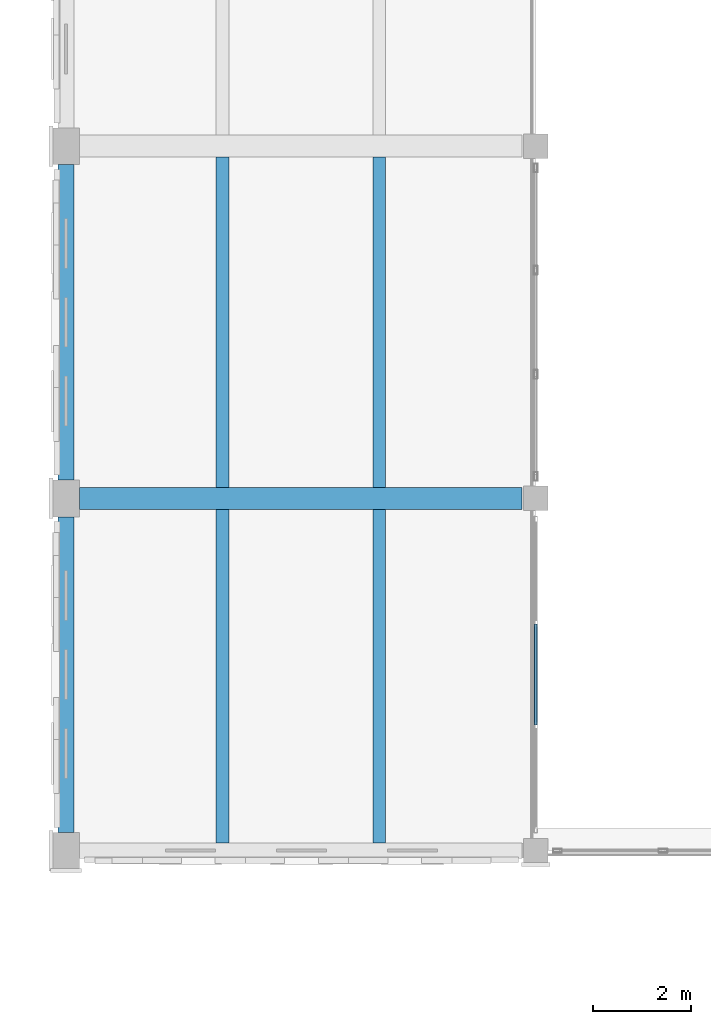
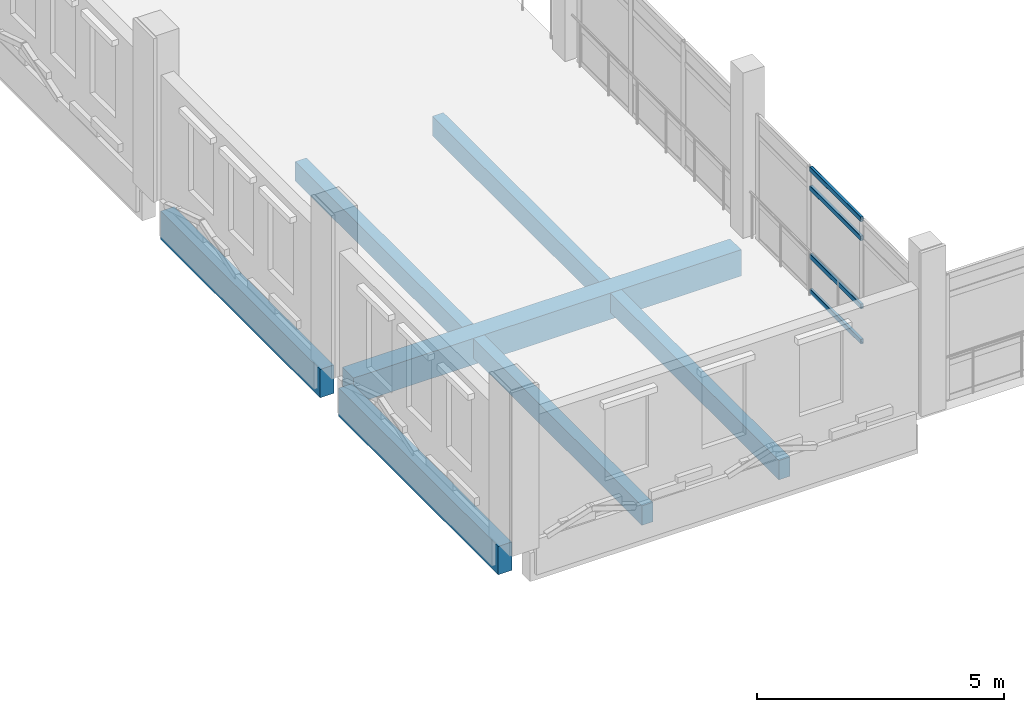
# One storey, part 5 of 24: 7 beams, 4 members, 1 element without a shape of its own.
"""IFC4 building model written with IfcOpenShell, lengths in metres."""

from ifc_helpers import new_model, si_unit, direction, frame, origin, origin_2d, place, context, subcontext, project, spatial, rectangle, hollow_rectangle, extrude, material, layer, layer_set, material_profile, profile_set, type_object, element, aggregate, save


model = new_model("IFC4")

# Units and contexts
model_context = context("Model", 3, precision=1e-05, world=origin(), true_north=direction((0.0, 1.0)))
body_context = subcontext(model_context, "Body", "Model", "MODEL_VIEW")
ifc_project = project(units=[si_unit("LENGTHUNIT", "METRE"), si_unit("AREAUNIT", "SQUARE_METRE"), si_unit("VOLUMEUNIT", "CUBIC_METRE"), si_unit("PLANEANGLEUNIT", "RADIAN"), si_unit("MASSUNIT", "GRAM", prefix="KILO")], contexts=[model_context])

# Site, building, storey
site_placement = place(None, origin())
site = spatial("IfcSite", under=ifc_project, at=site_placement, CompositionType="ELEMENT")
building_placement = place(site_placement, origin())
building = spatial("IfcBuilding", under=site, at=building_placement, Name="Asteropetra Specialist Clinic", CompositionType="ELEMENT")
storey_placement = place(building_placement, frame((0.0, 0.0, 20.739990234375)))
storey = spatial("IfcBuildingStorey", under=building, at=storey_placement, Name="L05", CompositionType="ELEMENT", Elevation=20.739990234375)

# Beam
ifc_material_1 = material(Name="Concrete C35/45", Category="concrete")
ifc_material_profile_1 = material_profile(ifc_material_1, rectangle(XDim=0.449951171875, YDim=0.64990234375, at=origin_2d()), Name="RCB 450x650")
ifc_profile_set_1 = profile_set([ifc_material_profile_1], Name="Concrete C35/45")
beam_type_1 = type_object("IfcBeamType", Name="BM-RC450x650", PredefinedType="BEAM", material=ifc_profile_set_1)
beam_placement = place(storey_placement, frame((0.27490234375, 84.0, -0.60498046875), z_axis=(1.0, 0.0, 0.0), x_axis=(0.0, 1.0, 0.0)))
element("IfcBeam", 1, at=beam_placement, inside=storey, type_object=beam_type_1, Name="Beam BBM06-1985", PredefinedType="BEAM", context=body_context, shape_type="SweptSolid", body=[
    extrude(rectangle(XDim=0.449951171875, YDim=0.64990234375, at=origin_2d()), origin(), (0.0, 0.0, 1.0), 9.050048828125),
])

# Curtain wall, members
ifc_material_2 = material(Name="Aluminium and low-E glass", Category="aluminium")
ifc_layer = layer(ifc_material_2, 0.179931640625)
ifc_layer_set = layer_set([ifc_layer], Name="Aluminium and low-E glass")
curtain_wall_type = type_object("IfcCurtainWallType", Name="CW-SYS-04", PredefinedType="USERDEFINED", material=ifc_layer_set)
curtain_wall_placement = place(storey_placement, origin())
curtain_wall = element("IfcCurtainWall", 2, at=curtain_wall_placement, inside=storey, type_object=curtain_wall_type, Name="Curtain Wall CW-061", ObjectType="UNITISED CURTAIN WALL", PredefinedType="USERDEFINED")
ifc_material_3 = material(Name="Aluminium 6063-T6", Category="aluminium")
ifc_material_profile_2 = material_profile(ifc_material_3, hollow_rectangle(XDim=0.06494140625, YDim=0.1201171875, WallThickness=0.00390625, InnerFilletRadius=0.00390625, OuterFilletRadius=0.008056640625, at=origin_2d()), Name="TRN 120x65x4.0")
ifc_profile_set_2 = profile_set([ifc_material_profile_2], Name="Aluminium 6063-T6")
member_type = type_object("IfcMemberType", Name="CWT-120x65", PredefinedType="USERDEFINED", material=ifc_profile_set_2)
member_1_placement = place(storey_placement, frame((9.60009765625, 81.430908203125, 0.032470703125), z_axis=(0.0, -1.0, 0.0), x_axis=(1.0, 0.0, 0.0)))
member_1 = element("IfcMember", 3, at=member_1_placement, type_object=member_type, Name="CW-061 transom 2.1", ObjectType="TRANSOM", PredefinedType="USERDEFINED", context=body_context, shape_type="SweptSolid", body=[
    extrude(hollow_rectangle(XDim=0.06494140625, YDim=0.1201171875, WallThickness=0.00390625, InnerFilletRadius=0.00390625, OuterFilletRadius=0.008056640625, at=origin_2d()), origin(), (0.0, 0.0, 1.0), 2.061767578125),
])
member_2_placement = place(storey_placement, frame((9.60009765625, 81.430908203125, 0.89990234375), z_axis=(0.0, -1.0, 0.0), x_axis=(1.0, 0.0, 0.0)))
member_2 = element("IfcMember", 4, at=member_2_placement, type_object=member_type, Name="CW-061 transom 2.2", ObjectType="TRANSOM", PredefinedType="USERDEFINED", context=body_context, shape_type="SweptSolid", body=[
    extrude(hollow_rectangle(XDim=0.06494140625, YDim=0.1201171875, WallThickness=0.00390625, InnerFilletRadius=0.00390625, OuterFilletRadius=0.008056640625, at=origin_2d()), origin(), (0.0, 0.0, 1.0), 2.061767578125),
])
member_3_placement = place(storey_placement, frame((9.60009765625, 81.430908203125, 2.580078125), z_axis=(0.0, -1.0, 0.0), x_axis=(1.0, 0.0, 0.0)))
member_3 = element("IfcMember", 5, at=member_3_placement, type_object=member_type, Name="CW-061 transom 2.3", ObjectType="TRANSOM", PredefinedType="USERDEFINED", context=body_context, shape_type="SweptSolid", body=[
    extrude(hollow_rectangle(XDim=0.06494140625, YDim=0.1201171875, WallThickness=0.00390625, InnerFilletRadius=0.00390625, OuterFilletRadius=0.008056640625, at=origin_2d()), origin(), (0.0, 0.0, 1.0), 2.061767578125),
])
member_4_placement = place(storey_placement, frame((9.60009765625, 81.430908203125, 3.047607421875), z_axis=(0.0, -1.0, 0.0), x_axis=(1.0, 0.0, 0.0)))
member_4 = element("IfcMember", 6, at=member_4_placement, type_object=member_type, Name="CW-061 transom 2.4", ObjectType="TRANSOM", PredefinedType="USERDEFINED", context=body_context, shape_type="SweptSolid", body=[
    extrude(hollow_rectangle(XDim=0.06494140625, YDim=0.1201171875, WallThickness=0.00390625, InnerFilletRadius=0.00390625, OuterFilletRadius=0.008056640625, at=origin_2d()), origin(), (0.0, 0.0, 1.0), 2.061767578125),
])
aggregate(curtain_wall, [member_1, member_2, member_3, member_4])

# Beams
ifc_material_4 = material(Name="Concrete C35/45", Category="concrete")
ifc_material_profile_3 = material_profile(ifc_material_4, rectangle(XDim=0.260009765625, YDim=0.47998046875, at=origin_2d()), Name="RCJ 260x480")
ifc_profile_set_3 = profile_set([ifc_material_profile_3], Name="Concrete C35/45")
beam_type_2 = type_object("IfcBeamType", Name="JST-RC260x480", PredefinedType="JOIST", material=ifc_profile_set_3)
for number, where, z_axis, x_axis, name in (
    (7, (3.199951171875, 76.9599609375, -0.52001953125), (0.0, 1.0, 0.0), (-1.0, 0.0, 0.0), "Joist JJST02-2003"),
    (8, (6.39990234375, 76.9599609375, -0.52001953125), (0.0, 1.0, 0.0), (-1.0, 0.0, 0.0), "Joist JJST02-2004"),
):
    element("IfcBeam", number, at=place(storey_placement, frame(where, z_axis=z_axis, x_axis=x_axis)), inside=storey, type_object=beam_type_2, Name=name, PredefinedType="JOIST", context=body_context, shape_type="SweptSolid", body=[
        extrude(rectangle(XDim=0.260009765625, YDim=0.47998046875, at=origin_2d()), origin(), (0.0, 0.0, 1.0), 6.81494140625),
    ])
for number, where, z_axis, x_axis, name in (
    (9, (3.199951171875, 84.22509765625, -0.52001953125), (0.0, 1.0, 0.0), (-1.0, 0.0, 0.0), "Joist JJST02-2009"),
    (10, (6.39990234375, 84.22509765625, -0.52001953125), (0.0, 1.0, 0.0), (-1.0, 0.0, 0.0), "Joist JJST02-2010"),
):
    element("IfcBeam", number, at=place(storey_placement, frame(where, z_axis=z_axis, x_axis=x_axis)), inside=storey, type_object=beam_type_2, Name=name, PredefinedType="JOIST", context=body_context, shape_type="SweptSolid", body=[
        extrude(rectangle(XDim=0.260009765625, YDim=0.47998046875, at=origin_2d()), origin(), (0.0, 0.0, 1.0), 6.75),
    ])
ifc_material_5 = material(Name="Concrete C35/45", Category="concrete")
ifc_material_profile_4 = material_profile(ifc_material_5, rectangle(XDim=0.320068359375, YDim=0.699951171875, at=origin_2d()), Name="RCS 320x700")
ifc_profile_set_4 = profile_set([ifc_material_profile_4], Name="Concrete C35/45")
beam_type_3 = type_object("IfcBeamType", Name="SPN-RC320x700", PredefinedType="SPANDREL", material=ifc_profile_set_4)
for number, where, z_axis, x_axis, name in (
    (11, (0.0, 77.175048828125, -0.6298828125), (0.0, 1.0, 0.0), (-1.0, 0.0, 0.0), "Beam BSPN02-2001"),
    (12, (0.0, 84.375, -0.6298828125), (0.0, 1.0, 0.0), (-1.0, 0.0, 0.0), "Beam BSPN02-2007"),
):
    element("IfcBeam", number, at=place(storey_placement, frame(where, z_axis=z_axis, x_axis=x_axis)), inside=storey, type_object=beam_type_3, Name=name, PredefinedType="SPANDREL", context=body_context, shape_type="SweptSolid", body=[
        extrude(rectangle(XDim=0.320068359375, YDim=0.699951171875, at=origin_2d()), origin(), (0.0, 0.0, 1.0), 6.449951171875),
    ])

save(model, "model.ifc")
